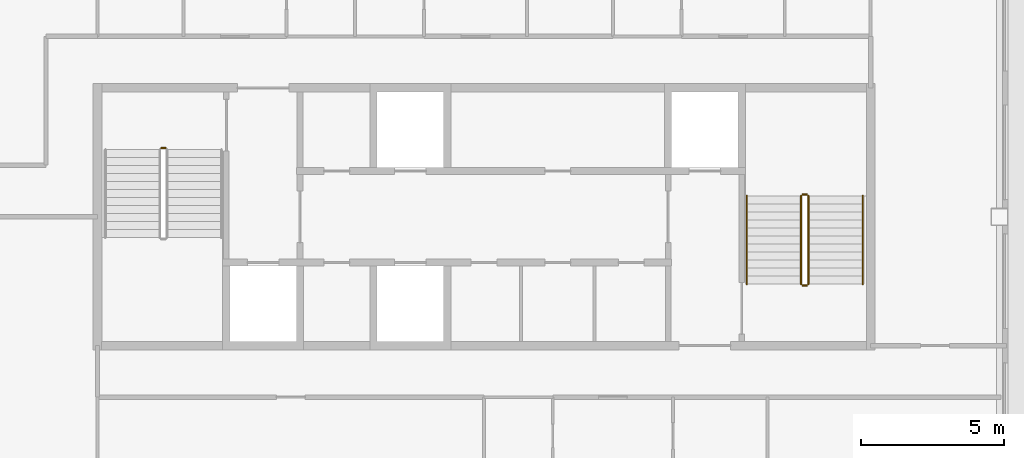
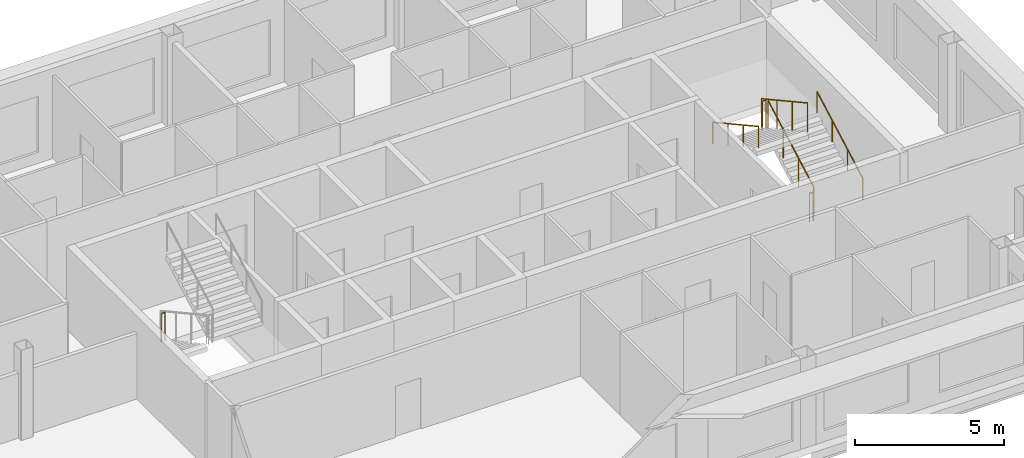
# One storey, part 11 of 11: 7 railings.
"""IFC4 building model written with IfcOpenShell, lengths in metres."""

import ifcopenshell
import ifcopenshell.guid

model = None  # the IFC model being written
_history = None  # IfcOwnerHistory: only IFC2X3 demands one
_inside = {}  # id of a spatial element -> (the spatial element, [elements in it])
_under = {}  # id of a project, library or spatial element -> (it, [spatial elements below it])
_declared = {}  # id of a project -> (the project, [libraries it declares])
_typed = {}  # id of a type object -> (the type object, [elements of that type])
_made_of = {}  # id of a material, layer set ... -> (it, [elements and type objects made of it])


def new_model(schema):
    """Start an empty IFC model of exactly this schema.

    Asked for "IFC4X3", IfcOpenShell would pick the latest addendum, in which some entities
    have other attributes; the version numbers below select the first issue.
    IFC2X3 requires an IfcOwnerHistory on every rooted entity: one is made here for all.
    """
    global model, _history
    if schema == "IFC4X3":
        model = ifcopenshell.file(schema_version=(4, 3, 0, 0))
    else:
        model = ifcopenshell.file(schema=schema)
    _inside.clear()
    _under.clear()
    _declared.clear()
    _typed.clear()
    _made_of.clear()
    _history = None
    if model.schema == "IFC2X3":
        org = make("IfcOrganization", Name="unknown")
        user = make(
            "IfcPersonAndOrganization",
            ThePerson=make("IfcPerson", FamilyName="unknown"),
            TheOrganization=org,
        )
        app = make(
            "IfcApplication",
            ApplicationDeveloper=org,
            Version="unknown",
            ApplicationFullName="unknown",
            ApplicationIdentifier="unknown",
        )
        _history = make(
            "IfcOwnerHistory",
            OwningUser=user,
            OwningApplication=app,
            ChangeAction="ADDED",
            CreationDate=0,
        )
    return model


def make(cls, **values):
    """One entity of the class cls with the attributes given. An attribute that is None is left unset."""
    return model.create_entity(
        cls, **{name: value for name, value in values.items() if value is not None}
    )


def rooted(cls, **values):
    """An entity with a GlobalId (a new one), such as an element, a storey or a relation."""
    return make(cls, GlobalId=ifcopenshell.guid.new(), OwnerHistory=_history, **values)


def si_unit(unit_type, name, prefix=None):
    """IfcSIUnit, for example si_unit("LENGTHUNIT", "METRE", prefix="MILLI")."""
    return make("IfcSIUnit", UnitType=unit_type, Prefix=prefix, Name=name)


def assignment(units):
    """IfcUnitAssignment: the units of a project."""
    return None if units is None else make("IfcUnitAssignment", Units=units)


def point(xyz):
    """IfcCartesianPoint."""
    return None if xyz is None else make("IfcCartesianPoint", Coordinates=xyz)


def direction(xyz):
    """IfcDirection."""
    return None if xyz is None else make("IfcDirection", DirectionRatios=xyz)


def frame(location, z_axis=None, x_axis=None):
    """IfcAxis2Placement3D, a coordinate frame: its origin and axes. An axis left out is left unset."""
    return make(
        "IfcAxis2Placement3D",
        Location=point(location),
        Axis=direction(z_axis),
        RefDirection=direction(x_axis),
    )


def frame_2d(location, x_axis=None):
    """IfcAxis2Placement2D, a coordinate frame in the plane: its origin and x axis."""
    return make(
        "IfcAxis2Placement2D", Location=point(location), RefDirection=direction(x_axis)
    )


def origin():
    """The frame at (0, 0, 0) with its axes left unset."""
    return frame((0.0, 0.0, 0.0))


def origin_2d():
    """The frame at (0, 0) in the plane with its x axis left unset."""
    return frame_2d((0.0, 0.0))


def place(relative_to, where):
    """IfcLocalPlacement: puts the frame where relative to a parent placement (None: the world)."""
    return make(
        "IfcLocalPlacement", PlacementRelTo=relative_to, RelativePlacement=where
    )


def context(
    kind, dimensions, precision=None, world=None, true_north=None, identifier=None
):
    """IfcGeometricRepresentationContext, for example the 3D "Model" context."""
    return make(
        "IfcGeometricRepresentationContext",
        ContextIdentifier=identifier,
        ContextType=kind,
        CoordinateSpaceDimension=dimensions,
        Precision=precision,
        WorldCoordinateSystem=world,
        TrueNorth=true_north,
    )


def subcontext(parent, identifier, kind, view, scale=None):
    """IfcGeometricRepresentationSubContext, for example "Body" below "Model"."""
    return make(
        "IfcGeometricRepresentationSubContext",
        ContextIdentifier=identifier,
        ContextType=kind,
        ParentContext=parent,
        TargetScale=scale,
        TargetView=view,
    )


def project(units=None, contexts=None):
    """IfcProject with its units and contexts."""
    return rooted(
        "IfcProject",
        Name="project",
        RepresentationContexts=contexts,
        UnitsInContext=assignment(units),
    )


def spatial(cls, under=None, at=None, **own):
    """A site, building, storey or space (cls), placed at a placement, below another one or the project."""
    s = rooted(cls, ObjectPlacement=at, **own)
    if under is not None:
        _under.setdefault(under.id(), (under, []))[1].append(s)
    return s


def profile(cls, at=None, kind="AREA", **sizes):
    """A parametric profile (cls). Its sizes go by their IFC names, for example OverallWidth=200.0."""
    return make(cls, ProfileType=kind, Position=at, **sizes)


def circle(**sizes):
    """IfcCircleProfileDef."""
    return profile("IfcCircleProfileDef", **sizes)


def extrude(swept, where, along, depth):
    """IfcExtrudedAreaSolid: the profile swept, set in the frame where, extruded along a direction by depth."""
    return make(
        "IfcExtrudedAreaSolid",
        SweptArea=swept,
        Position=where,
        ExtrudedDirection=direction(along),
        Depth=depth,
    )


def shape(context_of_items, identifier, shape_type, items):
    """IfcShapeRepresentation: the items that make up one representation, for example the "Body"."""
    return make(
        "IfcShapeRepresentation",
        ContextOfItems=context_of_items,
        RepresentationIdentifier=identifier,
        RepresentationType=shape_type,
        Items=items,
    )


def material(Name=None, Category=None):
    """IfcMaterial."""
    return make("IfcMaterial", Name=Name, Category=Category)


def made_of(thing, what):
    """Note that an element or type object is made of a material, layer set ...; save() writes the relation."""
    if what is not None:
        _made_of.setdefault(what.id(), (what, []))[1].append(thing)
    return thing


def type_object(cls, material=None, **own):
    """A type object (cls), such as IfcWallType, which elements share."""
    return made_of(rooted(cls, **own), material)


def element(
    cls,
    number,
    at=None,
    inside=None,
    cuts=None,
    type_object=None,
    material=None,
    context=None,
    identifier="Body",
    shape_type=None,
    held_by="IfcProductDefinitionShape",
    body=None,
    shapes=None,
    **own,
):
    """One element of the class cls, such as IfcWall. Its Tag is "e" and its number.

    at: its placement. inside: the storey or other place that contains it. cuts: it is an
    opening in that element (IfcRelVoidsElement). A single representation is given by context,
    identifier, shape_type and body (its items); several are given by shapes. held_by: the class
    of the entity that holds the representations. save() writes the other relations.
    """
    e = rooted(cls, Tag="e%d" % number, ObjectPlacement=at, **own)
    if body is not None:
        shapes = [shape(context, identifier, shape_type, body)]
    if shapes is not None:
        e.Representation = make(held_by, Representations=shapes)
    if inside is not None:
        _inside.setdefault(inside.id(), (inside, []))[1].append(e)
    if cuts is not None:
        rooted(
            "IfcRelVoidsElement", RelatingBuildingElement=cuts, RelatedOpeningElement=e
        )
    if type_object is not None:
        _typed.setdefault(type_object.id(), (type_object, []))[1].append(e)
    return made_of(e, material)


def aggregate(whole, parts):
    """IfcRelAggregates: a whole, such as a stair, and the parts it consists of."""
    return rooted("IfcRelAggregates", RelatingObject=whole, RelatedObjects=parts)


def save(model, path):
    """Write the relations noted so far, then the file.

    IfcRelAggregates (storeys below a building ...), IfcRelContainedInSpatialStructure (elements
    in a storey), IfcRelDefinesByType, IfcRelAssociatesMaterial and IfcRelDeclares: one each for
    every whole, place, type object, material and project.
    """
    for whole, parts in _under.values():
        aggregate(whole, parts)
    for where, things in _inside.values():
        rooted(
            "IfcRelContainedInSpatialStructure",
            RelatedElements=things,
            RelatingStructure=where,
        )
    for kind, things in _typed.values():
        rooted("IfcRelDefinesByType", RelatedObjects=things, RelatingType=kind)
    for what, things in _made_of.values():
        rooted("IfcRelAssociatesMaterial", RelatedObjects=things, RelatingMaterial=what)
    for by, libraries in _declared.values():
        rooted("IfcRelDeclares", RelatingContext=by, RelatedDefinitions=libraries)
    model.write(path)


model = new_model("IFC4")

# Units and contexts
model_context = context("Model", 3, precision=1e-05, world=origin(), true_north=direction((0.0, 1.0)))
body_context = subcontext(model_context, "Body", "Model", "MODEL_VIEW")
ifc_project = project(units=[si_unit("LENGTHUNIT", "METRE"), si_unit("AREAUNIT", "SQUARE_METRE"), si_unit("VOLUMEUNIT", "CUBIC_METRE"), si_unit("PLANEANGLEUNIT", "RADIAN"), si_unit("MASSUNIT", "GRAM", prefix="KILO")], contexts=[model_context])

# Site, building, storey
site_placement = place(None, origin())
site = spatial("IfcSite", under=ifc_project, at=site_placement, CompositionType="ELEMENT")
building_placement = place(site_placement, origin())
building = spatial("IfcBuilding", under=site, at=building_placement, Name="Caravel Reach Hotel and Residences", CompositionType="ELEMENT")
storey_placement = place(building_placement, frame((0.0, 0.0, 271.199951171875)))
storey = spatial("IfcBuildingStorey", under=building, at=storey_placement, Name="L69", CompositionType="ELEMENT", Elevation=271.199951171875)

# Railings
ifc_material_1 = material(Name="Steel balustrade with glass infill", Category="steel")
railing_type_1 = type_object("IfcRailingType", Name="Guard 1200", PredefinedType="GUARDRAIL", material=ifc_material_1)
railing_1_placement = place(storey_placement, frame((20.22509765625, 29.39990234375, 0.0)))
element("IfcRailing", 1, at=railing_1_placement, inside=storey, type_object=railing_type_1, Name="L69 ST-A stair guard 4", PredefinedType="GUARDRAIL", context=body_context, shape_type="SweptSolid", body=[
    extrude(circle(Radius=0.02392578125, at=origin_2d()), frame((0.0, 0.0, 1.17578125), z_axis=(1.0, 0.0, 0.0), x_axis=(0.0, 1.0, 0.0)), (0.0, 0.0, 1.0), 0.14990234375),
    extrude(circle(Radius=0.02099609375, at=origin_2d()), origin(), (0.0, 0.0, 1.0), 1.15185546875),
    extrude(circle(Radius=0.02099609375, at=origin_2d()), frame((0.14990234375, 0.0, 0.0)), (0.0, 0.0, 1.0), 1.15185546875),
])
railing_2_placement = place(storey_placement, frame((42.824951171875, 24.64990234375, 0.154296875)))
element("IfcRailing", 2, at=railing_2_placement, inside=storey, type_object=railing_type_1, Name="L69 ST-B stair guard 1", PredefinedType="GUARDRAIL", context=body_context, shape_type="SweptSolid", body=[
    extrude(circle(Radius=0.02392578125, at=origin_2d()), frame((0.0, 0.0, 1.17578125), z_axis=(0.0, 0.876004717809, 0.482302534076), x_axis=(-1.0, 0.0, 0.0)), (0.0, 0.0, 1.0), 3.51611328125),
    extrude(circle(Radius=0.02099609375, at=origin_2d()), origin(), (0.0, 0.0, 1.0), 1.15185546875),
    extrude(circle(Radius=0.02099609375, at=origin_2d()), frame((0.0, 1.026611328125, 0.565185546875)), (0.0, 0.0, 1.0), 1.15185546875),
    extrude(circle(Radius=0.02099609375, at=origin_2d()), frame((0.0, 2.053466796875, 1.130615234375)), (0.0, 0.0, 1.0), 1.15185546875),
    extrude(circle(Radius=0.02099609375, at=origin_2d()), frame((0.0, 3.080078125, 1.69580078125)), (0.0, 0.0, 1.0), 1.15185546875),
])
railing_3_placement = place(storey_placement, frame((42.77490234375, 27.780029296875, 1.85009765625)))
element("IfcRailing", 3, at=railing_3_placement, inside=storey, type_object=railing_type_1, Name="L69 ST-B stair guard 2", PredefinedType="GUARDRAIL", context=body_context, shape_type="SweptSolid", body=[
    extrude(circle(Radius=0.02392578125, at=origin_2d()), frame((0.0, 0.0, 1.17578125), z_axis=(-1.0, 0.0, 0.0), x_axis=(0.0, -1.0, 0.0)), (0.0, 0.0, 1.0), 0.14990234375),
    extrude(circle(Radius=0.02099609375, at=origin_2d()), origin(), (0.0, 0.0, 1.0), 1.15185546875),
    extrude(circle(Radius=0.02099609375, at=origin_2d()), frame((-0.14990234375, 0.0, 0.0)), (0.0, 0.0, 1.0), 1.15185546875),
])
railing_4_placement = place(storey_placement, frame((42.574951171875, 27.72998046875, 2.004150390625)))
element("IfcRailing", 4, at=railing_4_placement, inside=storey, type_object=railing_type_1, Name="L69 ST-B stair guard 3", PredefinedType="GUARDRAIL", context=body_context, shape_type="SweptSolid", body=[
    extrude(circle(Radius=0.02392578125, at=origin_2d()), frame((0.0, 0.0, 1.17578125), z_axis=(0.0, -0.876004717809, 0.482302534076), x_axis=(1.0, 0.0, 0.0)), (0.0, 0.0, 1.0), 3.51611328125),
    extrude(circle(Radius=0.02099609375, at=origin_2d()), origin(), (0.0, 0.0, 1.0), 1.15185546875),
    extrude(circle(Radius=0.02099609375, at=origin_2d()), frame((0.0, -1.026611328125, 0.565185546875)), (0.0, 0.0, 1.0), 1.15185546875),
    extrude(circle(Radius=0.02099609375, at=origin_2d()), frame((0.0, -2.053466796875, 1.130615234375)), (0.0, 0.0, 1.0), 1.15185546875),
    extrude(circle(Radius=0.02099609375, at=origin_2d()), frame((0.0, -3.080078125, 1.69580078125)), (0.0, 0.0, 1.0), 1.15185546875),
])
railing_5_placement = place(storey_placement, frame((42.77490234375, 24.60009765625, 0.0)))
element("IfcRailing", 5, at=railing_5_placement, inside=storey, type_object=railing_type_1, Name="L69 ST-B stair guard 4", PredefinedType="GUARDRAIL", context=body_context, shape_type="SweptSolid", body=[
    extrude(circle(Radius=0.02392578125, at=origin_2d()), frame((0.0, 0.0, 1.17578125), z_axis=(-1.0, 0.0, 0.0), x_axis=(0.0, -1.0, 0.0)), (0.0, 0.0, 1.0), 0.14990234375),
    extrude(circle(Radius=0.02099609375, at=origin_2d()), origin(), (0.0, 0.0, 1.0), 1.15185546875),
    extrude(circle(Radius=0.02099609375, at=origin_2d()), frame((-0.14990234375, 0.0, 0.0)), (0.0, 0.0, 1.0), 1.15185546875),
])
ifc_material_2 = material(Name="Stainless steel handrail", Category="steel")
railing_type_2 = type_object("IfcRailingType", Name="Handrail 900", PredefinedType="HANDRAIL", material=ifc_material_2)
railing_6_placement = place(storey_placement, frame((44.72509765625, 24.64990234375, 0.154296875)))
element("IfcRailing", 6, at=railing_6_placement, inside=storey, type_object=railing_type_2, Name="L69 ST-B stair handrail 1", PredefinedType="HANDRAIL", context=body_context, shape_type="SweptSolid", body=[
    extrude(circle(Radius=0.02392578125, at=origin_2d()), frame((0.0, 0.0, 0.8759765625), z_axis=(0.0, 0.876004717809, 0.482302534076), x_axis=(-1.0, 0.0, 0.0)), (0.0, 0.0, 1.0), 3.51611328125),
    extrude(circle(Radius=0.02099609375, at=origin_2d()), origin(), (0.0, 0.0, 1.0), 0.851806640625),
    extrude(circle(Radius=0.02099609375, at=origin_2d()), frame((0.0, 1.026611328125, 0.565185546875)), (0.0, 0.0, 1.0), 0.851806640625),
    extrude(circle(Radius=0.02099609375, at=origin_2d()), frame((0.0, 2.053466796875, 1.130615234375)), (0.0, 0.0, 1.0), 0.851806640625),
    extrude(circle(Radius=0.02099609375, at=origin_2d()), frame((0.0, 3.080078125, 1.69580078125)), (0.0, 0.0, 1.0), 0.851806640625),
])
railing_7_placement = place(storey_placement, frame((40.675048828125, 27.72998046875, 2.004150390625)))
element("IfcRailing", 7, at=railing_7_placement, inside=storey, type_object=railing_type_2, Name="L69 ST-B stair handrail 2", PredefinedType="HANDRAIL", context=body_context, shape_type="SweptSolid", body=[
    extrude(circle(Radius=0.02392578125, at=origin_2d()), frame((0.0, 0.0, 0.8759765625), z_axis=(0.0, -0.876004717809, 0.482302534076), x_axis=(1.0, 0.0, 0.0)), (0.0, 0.0, 1.0), 3.51611328125),
    extrude(circle(Radius=0.02099609375, at=origin_2d()), origin(), (0.0, 0.0, 1.0), 0.851806640625),
    extrude(circle(Radius=0.02099609375, at=origin_2d()), frame((0.0, -1.026611328125, 0.565185546875)), (0.0, 0.0, 1.0), 0.851806640625),
    extrude(circle(Radius=0.02099609375, at=origin_2d()), frame((0.0, -2.053466796875, 1.130615234375)), (0.0, 0.0, 1.0), 0.851806640625),
    extrude(circle(Radius=0.02099609375, at=origin_2d()), frame((0.0, -3.080078125, 1.69580078125)), (0.0, 0.0, 1.0), 0.851806640625),
])

save(model, "model.ifc")
